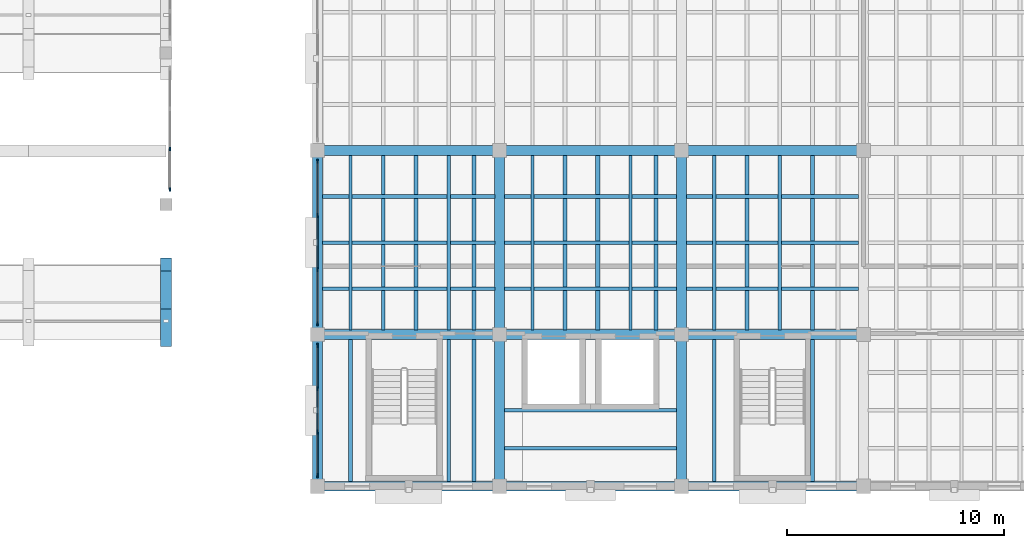
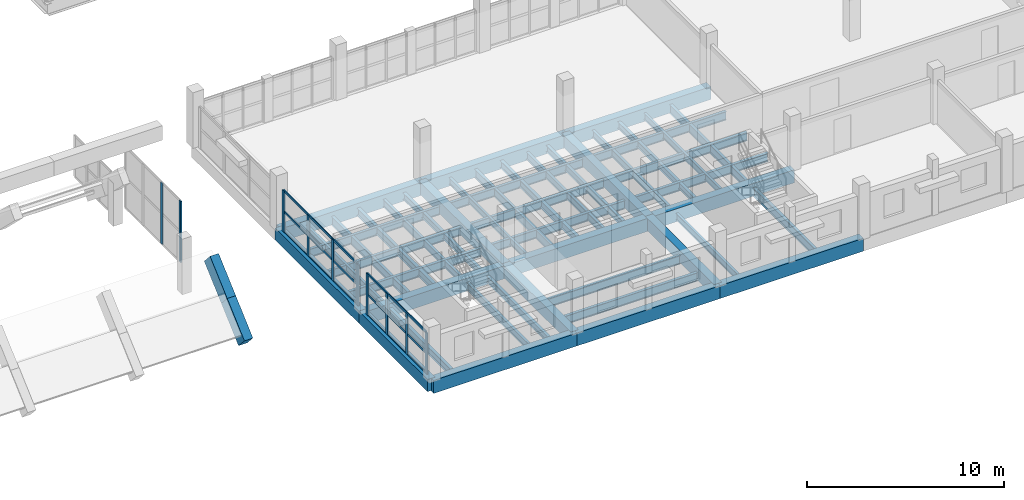
# One storey, part 8 of 48: 45 beams, 18 members, 3 elements without a shape of their own.
"""IFC4 building model written with IfcOpenShell, lengths in metres."""

from ifc_helpers import new_model, si_unit, direction, frame, origin, origin_2d, place, context, subcontext, project, spatial, rectangle, i_section, extrude, material, layer, layer_set, material_profile, profile_set, type_object, element, aggregate, save


model = new_model("IFC4")

# Units and contexts
model_context = context("Model", 3, precision=1e-05, world=origin(), true_north=direction((0.0, 1.0)))
body_context = subcontext(model_context, "Body", "Model", "MODEL_VIEW")
ifc_project = project(units=[si_unit("LENGTHUNIT", "METRE"), si_unit("AREAUNIT", "SQUARE_METRE"), si_unit("VOLUMEUNIT", "CUBIC_METRE"), si_unit("PLANEANGLEUNIT", "RADIAN"), si_unit("MASSUNIT", "GRAM", prefix="KILO")], contexts=[model_context])

# Site, building, storey
site_placement = place(None, origin())
site = spatial("IfcSite", under=ifc_project, at=site_placement, CompositionType="ELEMENT")
building_placement = place(site_placement, origin())
building = spatial("IfcBuilding", under=site, at=building_placement, Name="Trellovar Central Fire Station", CompositionType="ELEMENT")
storey_placement = place(building_placement, frame((0.0, 0.0, 9.300048828125)))
storey = spatial("IfcBuildingStorey", under=building, at=storey_placement, Name="L03", CompositionType="ELEMENT", Elevation=9.300048828125)

# Beams
ifc_material_1 = material(Name="Concrete C40/50", Category="concrete")
ifc_material_profile_1 = material_profile(ifc_material_1, rectangle(XDim=0.449951171875, YDim=0.800048828125, at=origin_2d()), Name="RC450X800")
ifc_profile_set_1 = profile_set([ifc_material_profile_1], Name="Concrete C40/50")
beam_type_1 = type_object("IfcBeamType", Name="BM-G1", PredefinedType="BEAM", material=ifc_profile_set_1)
beam_1_placement = place(storey_placement, frame((105.5, 9.0, -0.400146484375), z_axis=(1.0, 0.0, 0.0), x_axis=(0.0, 1.0, 0.0)))
element("IfcBeam", 1, at=beam_1_placement, inside=storey, type_object=beam_type_1, Name="L03 beam G-1", PredefinedType="BEAM", context=body_context, shape_type="SweptSolid", body=[
    extrude(rectangle(XDim=0.449951171875, YDim=0.800048828125, at=origin_2d()), origin(), (0.0, 0.0, 1.0), 8.39990234375),
])
beam_2_placement = place(storey_placement, frame((113.89990234375, 9.0, -0.400146484375), z_axis=(1.0, 0.0, 0.0), x_axis=(0.0, 1.0, 0.0)))
element("IfcBeam", 2, at=beam_2_placement, inside=storey, type_object=beam_type_1, Name="L03 beam G-1", PredefinedType="BEAM", context=body_context, shape_type="SweptSolid", body=[
    extrude(rectangle(XDim=0.449951171875, YDim=0.800048828125, at=origin_2d()), origin(), (0.0, 0.0, 1.0), 8.400146484375),
])
for number, where, z_axis, x_axis, name in (
    (3, (122.300048828125, 9.0, -0.400146484375), (1.0, 0.0, 0.0), (0.0, 1.0, 0.0), "L03 beam G-1"),
    (4, (105.5, 16.0, -0.400146484375), (1.0, 0.0, 0.0), (0.0, 1.0, 0.0), "L03 beam G-1"),
):
    element("IfcBeam", number, at=place(storey_placement, frame(where, z_axis=z_axis, x_axis=x_axis)), inside=storey, type_object=beam_type_1, Name=name, PredefinedType="BEAM", context=body_context, shape_type="SweptSolid", body=[
        extrude(rectangle(XDim=0.449951171875, YDim=0.800048828125, at=origin_2d()), origin(), (0.0, 0.0, 1.0), 8.39990234375),
    ])
beam_3_placement = place(storey_placement, frame((113.89990234375, 16.0, -0.400146484375), z_axis=(1.0, 0.0, 0.0), x_axis=(0.0, 1.0, 0.0)))
element("IfcBeam", 5, at=beam_3_placement, inside=storey, type_object=beam_type_1, Name="L03 beam G-1", PredefinedType="BEAM", context=body_context, shape_type="SweptSolid", body=[
    extrude(rectangle(XDim=0.449951171875, YDim=0.800048828125, at=origin_2d()), origin(), (0.0, 0.0, 1.0), 8.400146484375),
])
for number, where, z_axis, x_axis, name in (
    (6, (122.300048828125, 16.0, -0.400146484375), (1.0, 0.0, 0.0), (0.0, 1.0, 0.0), "L03 beam G-1"),
    (7, (105.5, 24.5, -0.400146484375), (1.0, 0.0, 0.0), (0.0, 1.0, 0.0), "L03 beam G-1"),
):
    element("IfcBeam", number, at=place(storey_placement, frame(where, z_axis=z_axis, x_axis=x_axis)), inside=storey, type_object=beam_type_1, Name=name, PredefinedType="BEAM", context=body_context, shape_type="SweptSolid", body=[
        extrude(rectangle(XDim=0.449951171875, YDim=0.800048828125, at=origin_2d()), origin(), (0.0, 0.0, 1.0), 8.39990234375),
    ])
beam_4_placement = place(storey_placement, frame((113.89990234375, 24.5, -0.400146484375), z_axis=(1.0, 0.0, 0.0), x_axis=(0.0, 1.0, 0.0)))
element("IfcBeam", 8, at=beam_4_placement, inside=storey, type_object=beam_type_1, Name="L03 beam G-1", PredefinedType="BEAM", context=body_context, shape_type="SweptSolid", body=[
    extrude(rectangle(XDim=0.449951171875, YDim=0.800048828125, at=origin_2d()), origin(), (0.0, 0.0, 1.0), 8.400146484375),
])
beam_5_placement = place(storey_placement, frame((122.300048828125, 24.5, -0.400146484375), z_axis=(1.0, 0.0, 0.0), x_axis=(0.0, 1.0, 0.0)))
element("IfcBeam", 9, at=beam_5_placement, inside=storey, type_object=beam_type_1, Name="L03 beam G-1", PredefinedType="BEAM", context=body_context, shape_type="SweptSolid", body=[
    extrude(rectangle(XDim=0.449951171875, YDim=0.800048828125, at=origin_2d()), origin(), (0.0, 0.0, 1.0), 8.39990234375),
])
ifc_material_2 = material(Name="Concrete C40/50", Category="concrete")
ifc_material_profile_2 = material_profile(ifc_material_2, rectangle(XDim=0.449951171875, YDim=0.75, at=origin_2d()), Name="RC450X750")
ifc_profile_set_2 = profile_set([ifc_material_profile_2], Name="Concrete C40/50")
beam_type_2 = type_object("IfcBeamType", Name="BM-G2", PredefinedType="BEAM", material=ifc_profile_set_2)
beam_6_placement = place(storey_placement, frame((105.5, 9.0, -0.375), z_axis=(0.0, 1.0, 0.0), x_axis=(-1.0, 0.0, 0.0)))
element("IfcBeam", 10, at=beam_6_placement, inside=storey, type_object=beam_type_2, Name="L03 beam G-2", PredefinedType="BEAM", context=body_context, shape_type="SweptSolid", body=[
    extrude(rectangle(XDim=0.449951171875, YDim=0.75, at=origin_2d()), origin(), (0.0, 0.0, 1.0), 7.0),
])
beam_7_placement = place(storey_placement, frame((105.5, 16.0, -0.375), z_axis=(0.0, 1.0, 0.0), x_axis=(-1.0, 0.0, 0.0)))
element("IfcBeam", 11, at=beam_7_placement, inside=storey, type_object=beam_type_2, Name="L03 beam G-2", PredefinedType="BEAM", context=body_context, shape_type="SweptSolid", body=[
    extrude(rectangle(XDim=0.449951171875, YDim=0.75, at=origin_2d()), origin(), (0.0, 0.0, 1.0), 8.5),
])
beam_8_placement = place(storey_placement, frame((113.89990234375, 9.0, -0.375), z_axis=(0.0, 1.0, 0.0), x_axis=(-1.0, 0.0, 0.0)))
element("IfcBeam", 12, at=beam_8_placement, inside=storey, type_object=beam_type_2, Name="L03 beam G-2", PredefinedType="BEAM", context=body_context, shape_type="SweptSolid", body=[
    extrude(rectangle(XDim=0.449951171875, YDim=0.75, at=origin_2d()), origin(), (0.0, 0.0, 1.0), 7.0),
])
beam_9_placement = place(storey_placement, frame((113.89990234375, 16.0, -0.375), z_axis=(0.0, 1.0, 0.0), x_axis=(-1.0, 0.0, 0.0)))
element("IfcBeam", 13, at=beam_9_placement, inside=storey, type_object=beam_type_2, Name="L03 beam G-2", PredefinedType="BEAM", context=body_context, shape_type="SweptSolid", body=[
    extrude(rectangle(XDim=0.449951171875, YDim=0.75, at=origin_2d()), origin(), (0.0, 0.0, 1.0), 8.5),
])
beam_10_placement = place(storey_placement, frame((122.300048828125, 9.0, -0.375), z_axis=(0.0, 1.0, 0.0), x_axis=(-1.0, 0.0, 0.0)))
element("IfcBeam", 14, at=beam_10_placement, inside=storey, type_object=beam_type_2, Name="L03 beam G-2", PredefinedType="BEAM", context=body_context, shape_type="SweptSolid", body=[
    extrude(rectangle(XDim=0.449951171875, YDim=0.75, at=origin_2d()), origin(), (0.0, 0.0, 1.0), 7.0),
])
beam_11_placement = place(storey_placement, frame((122.300048828125, 16.0, -0.375), z_axis=(0.0, 1.0, 0.0), x_axis=(-1.0, 0.0, 0.0)))
element("IfcBeam", 15, at=beam_11_placement, inside=storey, type_object=beam_type_2, Name="L03 beam G-2", PredefinedType="BEAM", context=body_context, shape_type="SweptSolid", body=[
    extrude(rectangle(XDim=0.449951171875, YDim=0.75, at=origin_2d()), origin(), (0.0, 0.0, 1.0), 8.5),
])
ifc_material_3 = material(Name="Steel ASTM A992 Grade 50", Category="steel")
ifc_material_profile_3 = material_profile(ifc_material_3, i_section(OverallWidth=0.15283203125, OverallDepth=0.45458984375, WebThickness=0.008056640625, FlangeThickness=0.01318359375, FilletRadius=0.0126953125, at=origin_2d()), Name="W18X40")
ifc_profile_set_3 = profile_set([ifc_material_profile_3], Name="Steel ASTM A992 Grade 50")
beam_type_3 = type_object("IfcBeamType", Name="BM-SW10", PredefinedType="JOIST", material=ifc_profile_set_3)
beam_12_placement = place(storey_placement, frame((111.548095703125, 9.219970703125, -0.487548828125), z_axis=(0.0, 1.0, 0.0), x_axis=(-1.0, 0.0, 0.0)))
element("IfcBeam", 16, at=beam_12_placement, inside=storey, type_object=beam_type_3, Name="L03 secondary steel deck joist", PredefinedType="JOIST", context=body_context, shape_type="SweptSolid", body=[
    extrude(i_section(OverallWidth=0.15283203125, OverallDepth=0.45458984375, WebThickness=0.008056640625, FlangeThickness=0.01318359375, FilletRadius=0.0126953125, at=origin_2d()), origin(), (0.0, 0.0, 1.0), 6.56005859375),
])
for number, where, z_axis, x_axis, name in (
    (17, (111.548095703125, 16.219970703125, -0.487548828125), (0.0, 1.0, 0.0), (-1.0, 0.0, 0.0), "L03 secondary steel deck joist"),
    (18, (119.947998046875, 16.219970703125, -0.487548828125), (0.0, 1.0, 0.0), (-1.0, 0.0, 0.0), "L03 secondary steel deck joist"),
    (19, (123.81201171875, 16.219970703125, -0.487548828125), (0.0, 1.0, 0.0), (-1.0, 0.0, 0.0), "L03 secondary steel deck joist"),
):
    element("IfcBeam", number, at=place(storey_placement, frame(where, z_axis=z_axis, x_axis=x_axis)), inside=storey, type_object=beam_type_3, Name=name, PredefinedType="JOIST", context=body_context, shape_type="SweptSolid", body=[
        extrude(i_section(OverallWidth=0.15283203125, OverallDepth=0.45458984375, WebThickness=0.008056640625, FlangeThickness=0.01318359375, FilletRadius=0.0126953125, at=origin_2d()), origin(), (0.0, 0.0, 1.0), 8.06005859375),
    ])
ifc_material_4 = material(Name="Steel ASTM A992 Grade 50", Category="steel")
ifc_material_profile_4 = material_profile(ifc_material_4, i_section(OverallWidth=0.177490234375, OverallDepth=0.40380859375, WebThickness=0.007568359375, FlangeThickness=0.010986328125, FilletRadius=0.011474609375, at=origin_2d()), Name="W16X36")
ifc_profile_set_4 = profile_set([ifc_material_profile_4], Name="Steel ASTM A992 Grade 50")
beam_type_4 = type_object("IfcBeamType", Name="BM-SW11", PredefinedType="JOIST", material=ifc_profile_set_4)
beam_13_placement = place(storey_placement, frame((112.72412109375, 9.219970703125, -0.462158203125), z_axis=(0.0, 1.0, 0.0), x_axis=(-1.0, 0.0, 0.0)))
element("IfcBeam", 20, at=beam_13_placement, inside=storey, type_object=beam_type_4, Name="L03 secondary steel deck joist", PredefinedType="JOIST", context=body_context, shape_type="SweptSolid", body=[
    extrude(i_section(OverallWidth=0.177490234375, OverallDepth=0.40380859375, WebThickness=0.007568359375, FlangeThickness=0.010986328125, FilletRadius=0.011474609375, at=origin_2d()), origin(), (0.0, 0.0, 1.0), 6.56005859375),
])
for number, where, z_axis, x_axis, name in (
    (21, (112.72412109375, 16.219970703125, -0.462158203125), (0.0, 1.0, 0.0), (-1.0, 0.0, 0.0), "L03 secondary steel deck joist"),
    (22, (121.1240234375, 16.219970703125, -0.462158203125), (0.0, 1.0, 0.0), (-1.0, 0.0, 0.0), "L03 secondary steel deck joist"),
    (23, (125.323974609375, 16.219970703125, -0.462158203125), (0.0, 1.0, 0.0), (-1.0, 0.0, 0.0), "L03 secondary steel deck joist"),
):
    element("IfcBeam", number, at=place(storey_placement, frame(where, z_axis=z_axis, x_axis=x_axis)), inside=storey, type_object=beam_type_4, Name=name, PredefinedType="JOIST", context=body_context, shape_type="SweptSolid", body=[
        extrude(i_section(OverallWidth=0.177490234375, OverallDepth=0.40380859375, WebThickness=0.007568359375, FlangeThickness=0.010986328125, FilletRadius=0.011474609375, at=origin_2d()), origin(), (0.0, 0.0, 1.0), 8.06005859375),
    ])
ifc_material_5 = material(Name="Steel ASTM A992 Grade 50", Category="steel")
ifc_material_profile_5 = material_profile(ifc_material_5, i_section(OverallWidth=0.140380859375, OverallDepth=0.4033203125, WebThickness=0.007080078125, FlangeThickness=0.01123046875, FilletRadius=0.011474609375, at=origin_2d()), Name="W16X31")
ifc_profile_set_5 = profile_set([ifc_material_profile_5], Name="Steel ASTM A992 Grade 50")
beam_type_5 = type_object("IfcBeamType", Name="BM-SW12", PredefinedType="JOIST", material=ifc_profile_set_5)
for number, where, z_axis, x_axis, name in (
    (24, (107.011962890625, 16.219970703125, -0.461669921875), (0.0, 1.0, 0.0), (-1.0, 0.0, 0.0), "L03 secondary steel deck joist"),
    (25, (115.412109375, 16.219970703125, -0.461669921875), (0.0, 1.0, 0.0), (-1.0, 0.0, 0.0), "L03 secondary steel deck joist"),
):
    element("IfcBeam", number, at=place(storey_placement, frame(where, z_axis=z_axis, x_axis=x_axis)), inside=storey, type_object=beam_type_5, Name=name, PredefinedType="JOIST", context=body_context, shape_type="SweptSolid", body=[
        extrude(i_section(OverallWidth=0.140380859375, OverallDepth=0.4033203125, WebThickness=0.007080078125, FlangeThickness=0.01123046875, FilletRadius=0.011474609375, at=origin_2d()), origin(), (0.0, 0.0, 1.0), 8.06005859375),
    ])
beam_14_placement = place(storey_placement, frame((123.81201171875, 9.219970703125, -0.461669921875), z_axis=(0.0, 1.0, 0.0), x_axis=(-1.0, 0.0, 0.0)))
element("IfcBeam", 26, at=beam_14_placement, inside=storey, type_object=beam_type_5, Name="L03 secondary steel deck joist", PredefinedType="JOIST", context=body_context, shape_type="SweptSolid", body=[
    extrude(i_section(OverallWidth=0.140380859375, OverallDepth=0.4033203125, WebThickness=0.007080078125, FlangeThickness=0.01123046875, FilletRadius=0.011474609375, at=origin_2d()), origin(), (0.0, 0.0, 1.0), 6.56005859375),
])
beam_15_placement = place(storey_placement, frame((126.8359375, 16.219970703125, -0.461669921875), z_axis=(0.0, 1.0, 0.0), x_axis=(-1.0, 0.0, 0.0)))
element("IfcBeam", 27, at=beam_15_placement, inside=storey, type_object=beam_type_5, Name="L03 secondary steel deck joist", PredefinedType="JOIST", context=body_context, shape_type="SweptSolid", body=[
    extrude(i_section(OverallWidth=0.140380859375, OverallDepth=0.4033203125, WebThickness=0.007080078125, FlangeThickness=0.01123046875, FilletRadius=0.011474609375, at=origin_2d()), origin(), (0.0, 0.0, 1.0), 8.06005859375),
])
ifc_material_6 = material(Name="Steel ASTM A992 Grade 50", Category="steel")
ifc_material_profile_6 = material_profile(ifc_material_6, i_section(OverallWidth=0.166015625, OverallDepth=0.529052734375, WebThickness=0.009765625, FlangeThickness=0.013671875, FilletRadius=0.013916015625, at=origin_2d()), Name="W21X50")
ifc_profile_set_6 = profile_set([ifc_material_profile_6], Name="Steel ASTM A992 Grade 50")
beam_type_6 = type_object("IfcBeamType", Name="BM-SW8", PredefinedType="JOIST", material=ifc_profile_set_6)
for number, where, z_axis, x_axis, name in (
    (28, (105.719970703125, 18.125, -0.524658203125), (1.0, 0.0, 0.0), (0.0, 1.0, 0.0), "L03 beam SB-8"),
    (29, (105.719970703125, 20.25, -0.524658203125), (1.0, 0.0, 0.0), (0.0, 1.0, 0.0), "L03 beam SB-8"),
    (30, (105.719970703125, 22.375, -0.524658203125), (1.0, 0.0, 0.0), (0.0, 1.0, 0.0), "L03 beam SB-8"),
    (31, (114.1201171875, 10.75, -0.524658203125), (1.0, 0.0, 0.0), (0.0, 1.0, 0.0), "L03 beam SB-8"),
    (32, (114.1201171875, 12.5, -0.524658203125), (1.0, 0.0, 0.0), (0.0, 1.0, 0.0), "L03 beam SB-8"),
    (33, (114.1201171875, 18.125, -0.524658203125), (1.0, 0.0, 0.0), (0.0, 1.0, 0.0), "L03 beam SB-8"),
    (34, (114.1201171875, 20.25, -0.524658203125), (1.0, 0.0, 0.0), (0.0, 1.0, 0.0), "L03 beam SB-8"),
    (35, (114.1201171875, 22.375, -0.524658203125), (1.0, 0.0, 0.0), (0.0, 1.0, 0.0), "L03 beam SB-8"),
    (36, (122.52001953125, 18.125, -0.524658203125), (1.0, 0.0, 0.0), (0.0, 1.0, 0.0), "L03 beam SB-8"),
    (37, (122.52001953125, 20.25, -0.524658203125), (1.0, 0.0, 0.0), (0.0, 1.0, 0.0), "L03 beam SB-8"),
    (38, (122.52001953125, 22.375, -0.524658203125), (1.0, 0.0, 0.0), (0.0, 1.0, 0.0), "L03 beam SB-8"),
):
    element("IfcBeam", number, at=place(storey_placement, frame(where, z_axis=z_axis, x_axis=x_axis)), inside=storey, type_object=beam_type_6, Name=name, PredefinedType="JOIST", context=body_context, shape_type="SweptSolid", body=[
        extrude(i_section(OverallWidth=0.166015625, OverallDepth=0.529052734375, WebThickness=0.009765625, FlangeThickness=0.013671875, FilletRadius=0.013916015625, at=origin_2d()), origin(), (0.0, 0.0, 1.0), 7.9599609375),
    ])
for number, where, z_axis, x_axis, name in (
    (39, (108.52392578125, 16.219970703125, -0.524658203125), (0.0, 1.0, 0.0), (-1.0, 0.0, 0.0), "L03 secondary steel deck joist"),
    (40, (116.924072265625, 16.219970703125, -0.524658203125), (0.0, 1.0, 0.0), (-1.0, 0.0, 0.0), "L03 secondary steel deck joist"),
):
    element("IfcBeam", number, at=place(storey_placement, frame(where, z_axis=z_axis, x_axis=x_axis)), inside=storey, type_object=beam_type_6, Name=name, PredefinedType="JOIST", context=body_context, shape_type="SweptSolid", body=[
        extrude(i_section(OverallWidth=0.166015625, OverallDepth=0.529052734375, WebThickness=0.009765625, FlangeThickness=0.013671875, FilletRadius=0.013916015625, at=origin_2d()), origin(), (0.0, 0.0, 1.0), 8.06005859375),
    ])
beam_16_placement = place(storey_placement, frame((128.347900390625, 9.219970703125, -0.524658203125), z_axis=(0.0, 1.0, 0.0), x_axis=(-1.0, 0.0, 0.0)))
element("IfcBeam", 41, at=beam_16_placement, inside=storey, type_object=beam_type_6, Name="L03 secondary steel deck joist", PredefinedType="JOIST", context=body_context, shape_type="SweptSolid", body=[
    extrude(i_section(OverallWidth=0.166015625, OverallDepth=0.529052734375, WebThickness=0.009765625, FlangeThickness=0.013671875, FilletRadius=0.013916015625, at=origin_2d()), origin(), (0.0, 0.0, 1.0), 6.56005859375),
])
beam_17_placement = place(storey_placement, frame((128.347900390625, 16.219970703125, -0.524658203125), z_axis=(0.0, 1.0, 0.0), x_axis=(-1.0, 0.0, 0.0)))
element("IfcBeam", 42, at=beam_17_placement, inside=storey, type_object=beam_type_6, Name="L03 secondary steel deck joist", PredefinedType="JOIST", context=body_context, shape_type="SweptSolid", body=[
    extrude(i_section(OverallWidth=0.166015625, OverallDepth=0.529052734375, WebThickness=0.009765625, FlangeThickness=0.013671875, FilletRadius=0.013916015625, at=origin_2d()), origin(), (0.0, 0.0, 1.0), 8.06005859375),
])
ifc_material_7 = material(Name="Steel ASTM A992 Grade 50", Category="steel")
ifc_material_profile_7 = material_profile(ifc_material_7, i_section(OverallWidth=0.1904296875, OverallDepth=0.457275390625, WebThickness=0.009033203125, FlangeThickness=0.014404296875, FilletRadius=0.0126953125, at=origin_2d()), Name="W18X50")
ifc_profile_set_7 = profile_set([ifc_material_profile_7], Name="Steel ASTM A992 Grade 50")
beam_type_7 = type_object("IfcBeamType", Name="BM-SW9", PredefinedType="JOIST", material=ifc_profile_set_7)
beam_18_placement = place(storey_placement, frame((107.011962890625, 9.219970703125, -0.48876953125), z_axis=(0.0, 1.0, 0.0), x_axis=(-1.0, 0.0, 0.0)))
element("IfcBeam", 43, at=beam_18_placement, inside=storey, type_object=beam_type_7, Name="L03 secondary steel deck joist", PredefinedType="JOIST", context=body_context, shape_type="SweptSolid", body=[
    extrude(i_section(OverallWidth=0.1904296875, OverallDepth=0.457275390625, WebThickness=0.009033203125, FlangeThickness=0.014404296875, FilletRadius=0.0126953125, at=origin_2d()), origin(), (0.0, 0.0, 1.0), 6.56005859375),
])
for number, where, z_axis, x_axis, name in (
    (44, (110.035888671875, 16.219970703125, -0.48876953125), (0.0, 1.0, 0.0), (-1.0, 0.0, 0.0), "L03 secondary steel deck joist"),
    (45, (118.43603515625, 16.219970703125, -0.48876953125), (0.0, 1.0, 0.0), (-1.0, 0.0, 0.0), "L03 secondary steel deck joist"),
):
    element("IfcBeam", number, at=place(storey_placement, frame(where, z_axis=z_axis, x_axis=x_axis)), inside=storey, type_object=beam_type_7, Name=name, PredefinedType="JOIST", context=body_context, shape_type="SweptSolid", body=[
        extrude(i_section(OverallWidth=0.1904296875, OverallDepth=0.457275390625, WebThickness=0.009033203125, FlangeThickness=0.014404296875, FilletRadius=0.0126953125, at=origin_2d()), origin(), (0.0, 0.0, 1.0), 8.06005859375),
    ])

# Curtain wall, members
ifc_material_8 = material(Name="Thermally broken bronze anodized aluminum", Category="aluminium")
ifc_layer_1 = layer(ifc_material_8, 0.159912109375)
ifc_layer_set_1 = layer_set([ifc_layer_1], Name="Thermally broken bronze anodized aluminum")
curtain_wall_type_1 = type_object("IfcCurtainWallType", Name="CW-12", PredefinedType="NOTDEFINED", material=ifc_layer_set_1)
curtain_wall_1_placement = place(storey_placement, origin())
curtain_wall_1 = element("IfcCurtainWall", 46, at=curtain_wall_1_placement, inside=storey, type_object=curtain_wall_type_1, Name="V5 L03 west courtyard curtain wall", PredefinedType="NOTDEFINED")
ifc_material_9 = material(Name="Thermally broken bronze anodized aluminum", Category="aluminium")
ifc_material_profile_8 = material_profile(ifc_material_9, rectangle(XDim=0.074951171875, YDim=0.199951171875, at=origin_2d()), Name="ALU75X200")
ifc_profile_set_8 = profile_set([ifc_material_profile_8], Name="Thermally broken bronze anodized aluminum")
member_type_1 = type_object("IfcMemberType", Name="CWM-1", PredefinedType="MULLION", material=ifc_profile_set_8)
member_1_placement = place(storey_placement, frame((105.5, 15.5, 0.0), z_axis=(0.0, 0.0, 1.0), x_axis=(1.0, 0.0, 0.0)))
member_1 = element("IfcMember", 47, at=member_1_placement, type_object=member_type_1, Name="CW3-L03-0086 mullion 1", PredefinedType="MULLION", context=body_context, shape_type="SweptSolid", body=[
    extrude(rectangle(XDim=0.074951171875, YDim=0.199951171875, at=origin_2d()), origin(), (0.0, 0.0, 1.0), 2.550048828125),
])
member_2_placement = place(storey_placement, frame((105.5, 13.5, 0.0), z_axis=(0.0, 0.0, 1.0), x_axis=(1.0, 0.0, 0.0)))
member_2 = element("IfcMember", 48, at=member_2_placement, type_object=member_type_1, Name="CW3-L03-0086 mullion 2", PredefinedType="MULLION", context=body_context, shape_type="SweptSolid", body=[
    extrude(rectangle(XDim=0.074951171875, YDim=0.199951171875, at=origin_2d()), origin(), (0.0, 0.0, 1.0), 2.550048828125),
])
member_3_placement = place(storey_placement, frame((105.5, 11.5, 0.0), z_axis=(0.0, 0.0, 1.0), x_axis=(1.0, 0.0, 0.0)))
member_3 = element("IfcMember", 49, at=member_3_placement, type_object=member_type_1, Name="CW3-L03-0086 mullion 3", PredefinedType="MULLION", context=body_context, shape_type="SweptSolid", body=[
    extrude(rectangle(XDim=0.074951171875, YDim=0.199951171875, at=origin_2d()), origin(), (0.0, 0.0, 1.0), 2.550048828125),
])
member_4_placement = place(storey_placement, frame((105.5, 9.5, 0.0), z_axis=(0.0, 0.0, 1.0), x_axis=(1.0, 0.0, 0.0)))
member_4 = element("IfcMember", 50, at=member_4_placement, type_object=member_type_1, Name="CW3-L03-0086 mullion 4", PredefinedType="MULLION", context=body_context, shape_type="SweptSolid", body=[
    extrude(rectangle(XDim=0.074951171875, YDim=0.199951171875, at=origin_2d()), origin(), (0.0, 0.0, 1.0), 2.550048828125),
])

curtain_wall_2_placement = place(storey_placement, origin())
curtain_wall_2 = element("IfcCurtainWall", 51, at=curtain_wall_2_placement, inside=storey, type_object=curtain_wall_type_1, Name="V5 L03 west courtyard curtain wall", PredefinedType="NOTDEFINED")
member_5_placement = place(storey_placement, frame((105.5, 24.0, 0.0), z_axis=(0.0, 0.0, 1.0), x_axis=(1.0, 0.0, 0.0)))
member_5 = element("IfcMember", 52, at=member_5_placement, type_object=member_type_1, Name="CW3-L03-0087 mullion 1", PredefinedType="MULLION", context=body_context, shape_type="SweptSolid", body=[
    extrude(rectangle(XDim=0.074951171875, YDim=0.199951171875, at=origin_2d()), origin(), (0.0, 0.0, 1.0), 2.550048828125),
])
member_6_placement = place(storey_placement, frame((105.5, 21.5, 0.0), z_axis=(0.0, 0.0, 1.0), x_axis=(1.0, 0.0, 0.0)))
member_6 = element("IfcMember", 53, at=member_6_placement, type_object=member_type_1, Name="CW3-L03-0087 mullion 2", PredefinedType="MULLION", context=body_context, shape_type="SweptSolid", body=[
    extrude(rectangle(XDim=0.074951171875, YDim=0.199951171875, at=origin_2d()), origin(), (0.0, 0.0, 1.0), 2.550048828125),
])
member_7_placement = place(storey_placement, frame((105.5, 19.0, 0.0), z_axis=(0.0, 0.0, 1.0), x_axis=(1.0, 0.0, 0.0)))
member_7 = element("IfcMember", 54, at=member_7_placement, type_object=member_type_1, Name="CW3-L03-0087 mullion 3", PredefinedType="MULLION", context=body_context, shape_type="SweptSolid", body=[
    extrude(rectangle(XDim=0.074951171875, YDim=0.199951171875, at=origin_2d()), origin(), (0.0, 0.0, 1.0), 2.550048828125),
])
member_8_placement = place(storey_placement, frame((105.5, 16.5, 0.0), z_axis=(0.0, 0.0, 1.0), x_axis=(1.0, 0.0, 0.0)))
member_8 = element("IfcMember", 55, at=member_8_placement, type_object=member_type_1, Name="CW3-L03-0087 mullion 4", PredefinedType="MULLION", context=body_context, shape_type="SweptSolid", body=[
    extrude(rectangle(XDim=0.074951171875, YDim=0.199951171875, at=origin_2d()), origin(), (0.0, 0.0, 1.0), 2.550048828125),
])

ifc_material_10 = material(Name="Thermally broken bronze anodized aluminum", Category="aluminium")
ifc_layer_2 = layer(ifc_material_10, 0.159912109375)
ifc_layer_set_2 = layer_set([ifc_layer_2], Name="Thermally broken bronze anodized aluminum")
curtain_wall_type_2 = type_object("IfcCurtainWallType", Name="CW-04", PredefinedType="NOTDEFINED", material=ifc_layer_set_2)
curtain_wall_3_placement = place(storey_placement, origin())
curtain_wall_3 = element("IfcCurtainWall", 56, at=curtain_wall_3_placement, inside=storey, type_object=curtain_wall_type_2, Name="V1 E ski-jump gable clerestory 2", PredefinedType="NOTDEFINED")
ifc_material_11 = material(Name="Thermally broken bronze anodized aluminum", Category="aluminium")
ifc_material_profile_9 = material_profile(ifc_material_11, rectangle(XDim=0.06494140625, YDim=0.175048828125, at=origin_2d()), Name="ALU65X175")
ifc_profile_set_9 = profile_set([ifc_material_profile_9], Name="Thermally broken bronze anodized aluminum")
member_type_2 = type_object("IfcMemberType", Name="CWM-2", PredefinedType="MULLION", material=ifc_profile_set_9)
member_9_placement = place(storey_placement, frame((98.679931640625, 22.699951171875, 1.300048828125), z_axis=(0.0, 0.0, 1.0), x_axis=(1.0, 0.0, 0.0)))
member_9 = element("IfcMember", 57, at=member_9_placement, type_object=member_type_2, Name="CW3-L03-0017 mullion 1", PredefinedType="MULLION", context=body_context, shape_type="SweptSolid", body=[
    extrude(rectangle(XDim=0.06494140625, YDim=0.175048828125, at=origin_2d()), origin(), (0.0, 0.0, 1.0), 3.7998046875),
])
member_10_placement = place(storey_placement, frame((98.679931640625, 24.566650390625, 1.300048828125), z_axis=(0.0, 0.0, 1.0), x_axis=(1.0, 0.0, 0.0)))
member_10 = element("IfcMember", 58, at=member_10_placement, type_object=member_type_2, Name="CW3-L03-0017 mullion 2", PredefinedType="MULLION", context=body_context, shape_type="SweptSolid", body=[
    extrude(rectangle(XDim=0.06494140625, YDim=0.175048828125, at=origin_2d()), origin(), (0.0, 0.0, 1.0), 3.7998046875),
])
aggregate(curtain_wall_3, [member_9, member_10])

# Member
ifc_material_12 = material(Name="Thermally broken bronze anodized aluminum", Category="aluminium")
ifc_material_profile_10 = material_profile(ifc_material_12, rectangle(XDim=0.06005859375, YDim=0.139892578125, at=origin_2d()), Name="ALU60X140")
ifc_profile_set_10 = profile_set([ifc_material_profile_10], Name="Thermally broken bronze anodized aluminum")
member_type_3 = type_object("IfcMemberType", Name="CWT-1", PredefinedType="USERDEFINED", material=ifc_profile_set_10)
member_11_placement = place(storey_placement, frame((105.5, 15.5, 0.0), z_axis=(0.0, -1.0, 0.0), x_axis=(1.0, 0.0, 0.0)))
member_11 = element("IfcMember", 59, at=member_11_placement, type_object=member_type_3, Name="CW3-L03-0086 transom 1", ObjectType="TRANSOM", PredefinedType="USERDEFINED", context=body_context, shape_type="SweptSolid", body=[
    extrude(rectangle(XDim=0.06005859375, YDim=0.139892578125, at=origin_2d()), origin(), (0.0, 0.0, 1.0), 6.0),
])

member_12_placement = place(storey_placement, frame((105.5, 15.5, 1.27490234375), z_axis=(0.0, -1.0, 0.0), x_axis=(1.0, 0.0, 0.0)))
member_12 = element("IfcMember", 60, at=member_12_placement, type_object=member_type_3, Name="CW3-L03-0086 transom 2", ObjectType="TRANSOM", PredefinedType="USERDEFINED", context=body_context, shape_type="SweptSolid", body=[
    extrude(rectangle(XDim=0.06005859375, YDim=0.139892578125, at=origin_2d()), origin(), (0.0, 0.0, 1.0), 6.0),
])

member_13_placement = place(storey_placement, frame((105.5, 15.5, 2.550048828125), z_axis=(0.0, -1.0, 0.0), x_axis=(1.0, 0.0, 0.0)))
member_13 = element("IfcMember", 61, at=member_13_placement, type_object=member_type_3, Name="CW3-L03-0086 transom 3", ObjectType="TRANSOM", PredefinedType="USERDEFINED", context=body_context, shape_type="SweptSolid", body=[
    extrude(rectangle(XDim=0.06005859375, YDim=0.139892578125, at=origin_2d()), origin(), (0.0, 0.0, 1.0), 6.0),
])

aggregate(curtain_wall_1, [member_1, member_2, member_3, member_4, member_11, member_12, member_13])

member_14_placement = place(storey_placement, frame((105.5, 24.0, 0.0), z_axis=(0.0, -1.0, 0.0), x_axis=(1.0, 0.0, 0.0)))
member_14 = element("IfcMember", 62, at=member_14_placement, type_object=member_type_3, Name="CW3-L03-0087 transom 1", ObjectType="TRANSOM", PredefinedType="USERDEFINED", context=body_context, shape_type="SweptSolid", body=[
    extrude(rectangle(XDim=0.06005859375, YDim=0.139892578125, at=origin_2d()), origin(), (0.0, 0.0, 1.0), 7.5),
])

member_15_placement = place(storey_placement, frame((105.5, 24.0, 1.27490234375), z_axis=(0.0, -1.0, 0.0), x_axis=(1.0, 0.0, 0.0)))
member_15 = element("IfcMember", 63, at=member_15_placement, type_object=member_type_3, Name="CW3-L03-0087 transom 2", ObjectType="TRANSOM", PredefinedType="USERDEFINED", context=body_context, shape_type="SweptSolid", body=[
    extrude(rectangle(XDim=0.06005859375, YDim=0.139892578125, at=origin_2d()), origin(), (0.0, 0.0, 1.0), 7.5),
])

member_16_placement = place(storey_placement, frame((105.5, 24.0, 2.550048828125), z_axis=(0.0, -1.0, 0.0), x_axis=(1.0, 0.0, 0.0)))
member_16 = element("IfcMember", 64, at=member_16_placement, type_object=member_type_3, Name="CW3-L03-0087 transom 3", ObjectType="TRANSOM", PredefinedType="USERDEFINED", context=body_context, shape_type="SweptSolid", body=[
    extrude(rectangle(XDim=0.06005859375, YDim=0.139892578125, at=origin_2d()), origin(), (0.0, 0.0, 1.0), 7.5),
])

aggregate(curtain_wall_2, [member_5, member_6, member_7, member_8, member_14, member_15, member_16])

# Members
ifc_material_13 = material(Name="Concrete C40/50", Category="concrete")
ifc_material_profile_11 = material_profile(ifc_material_13, rectangle(XDim=0.5, YDim=0.89990234375, at=origin_2d()), Name="RC500X900")
ifc_profile_set_11 = profile_set([ifc_material_profile_11], Name="Concrete C40/50")
member_type_4 = type_object("IfcMemberType", Name="MEM-AR1", PredefinedType="CHORD", material=ifc_profile_set_11)
member_17_placement = place(storey_placement, frame((98.5, 15.74658203125, 0.61669921875), z_axis=(0.0, 0.744457083913, 0.667670315509), x_axis=(-1.0, 0.0, 0.0)))
element("IfcMember", 65, at=member_17_placement, inside=storey, type_object=member_type_4, Name="Parabolic arch rib AR-11 chord 02", PredefinedType="CHORD", context=body_context, shape_type="SweptSolid", body=[
    extrude(rectangle(XDim=0.5, YDim=0.89990234375, at=origin_2d()), origin(), (0.0, 0.0, 1.0), 2.346435546875),
])
member_18_placement = place(storey_placement, frame((98.5, 17.493408203125, 2.183349609375), z_axis=(0.0, 0.744410696022, 0.667722034718), x_axis=(-1.0, 0.0, 0.0)))
element("IfcMember", 66, at=member_18_placement, inside=storey, type_object=member_type_4, Name="Parabolic arch rib AR-11 chord 03", PredefinedType="CHORD", context=body_context, shape_type="SweptSolid", body=[
    extrude(rectangle(XDim=0.5, YDim=0.89990234375, at=origin_2d()), origin(), (0.0, 0.0, 1.0), 2.34619140625),
])

save(model, "model.ifc")
